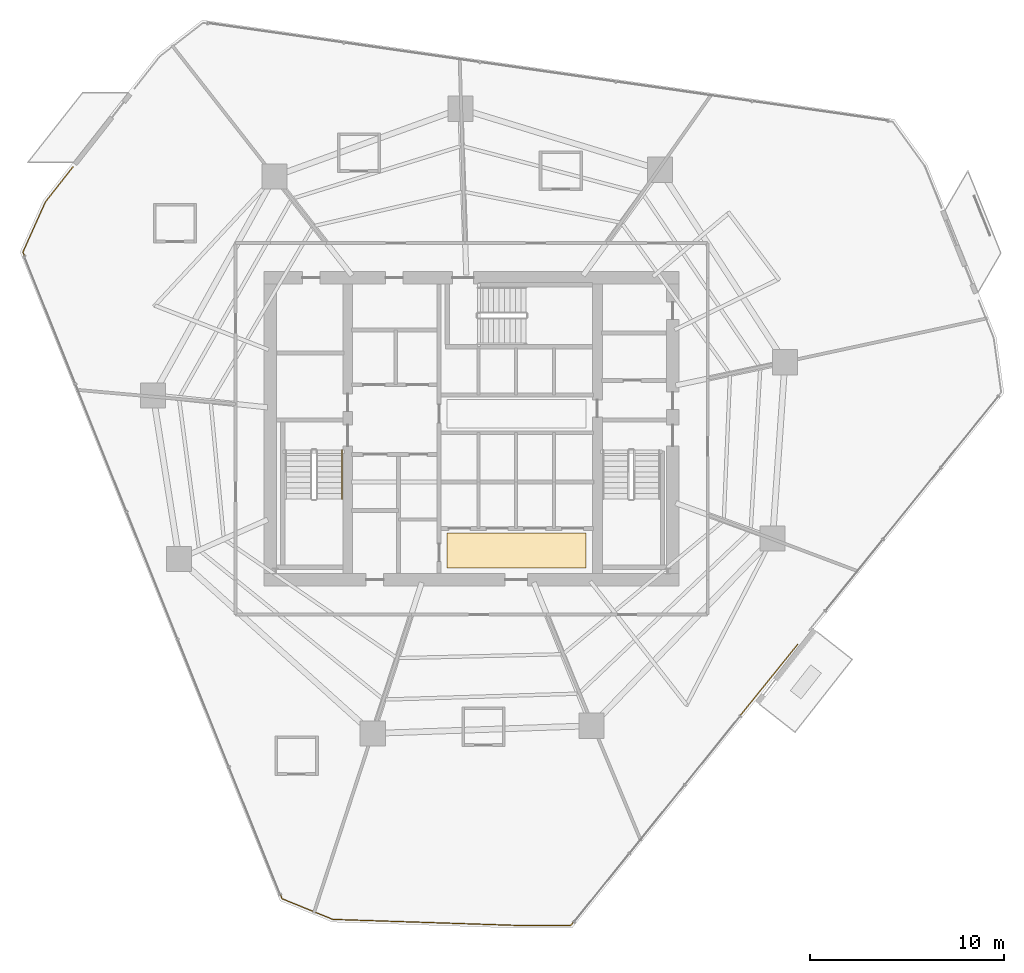
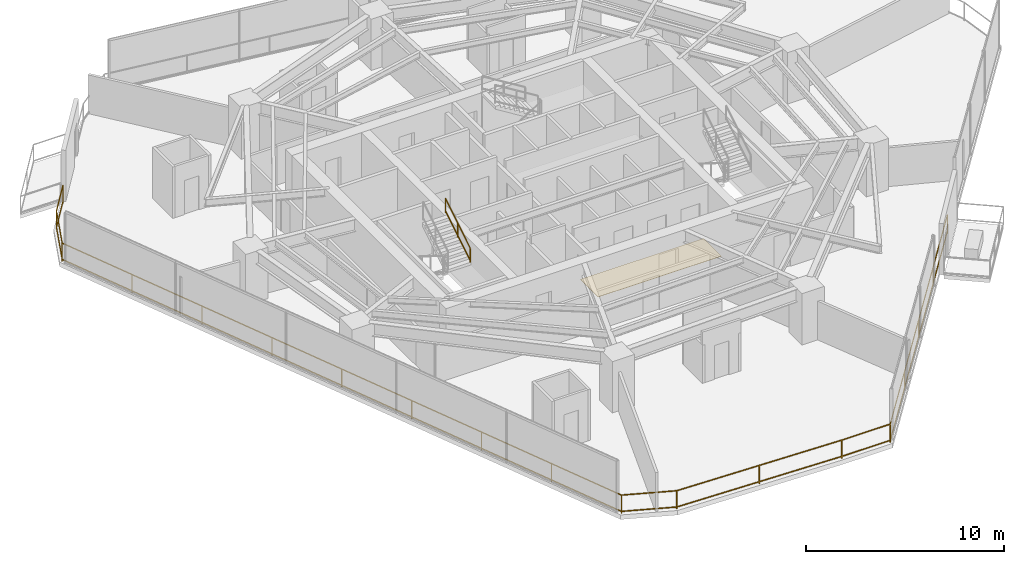
# One storey, part 30 of 32: 2 railings, 1 covering.
"""IFC4 building model written with IfcOpenShell, lengths in metres."""

import ifcopenshell
import ifcopenshell.guid

model = None  # the IFC model being written
_history = None  # IfcOwnerHistory: only IFC2X3 demands one
_inside = {}  # id of a spatial element -> (the spatial element, [elements in it])
_under = {}  # id of a project, library or spatial element -> (it, [spatial elements below it])
_declared = {}  # id of a project -> (the project, [libraries it declares])
_typed = {}  # id of a type object -> (the type object, [elements of that type])
_made_of = {}  # id of a material, layer set ... -> (it, [elements and type objects made of it])


def new_model(schema):
    """Start an empty IFC model of exactly this schema.

    Asked for "IFC4X3", IfcOpenShell would pick the latest addendum, in which some entities
    have other attributes; the version numbers below select the first issue.
    IFC2X3 requires an IfcOwnerHistory on every rooted entity: one is made here for all.
    """
    global model, _history
    if schema == "IFC4X3":
        model = ifcopenshell.file(schema_version=(4, 3, 0, 0))
    else:
        model = ifcopenshell.file(schema=schema)
    _inside.clear()
    _under.clear()
    _declared.clear()
    _typed.clear()
    _made_of.clear()
    _history = None
    if model.schema == "IFC2X3":
        org = make("IfcOrganization", Name="unknown")
        user = make(
            "IfcPersonAndOrganization",
            ThePerson=make("IfcPerson", FamilyName="unknown"),
            TheOrganization=org,
        )
        app = make(
            "IfcApplication",
            ApplicationDeveloper=org,
            Version="unknown",
            ApplicationFullName="unknown",
            ApplicationIdentifier="unknown",
        )
        _history = make(
            "IfcOwnerHistory",
            OwningUser=user,
            OwningApplication=app,
            ChangeAction="ADDED",
            CreationDate=0,
        )
    return model


def make(cls, **values):
    """One entity of the class cls with the attributes given. An attribute that is None is left unset."""
    return model.create_entity(
        cls, **{name: value for name, value in values.items() if value is not None}
    )


def rooted(cls, **values):
    """An entity with a GlobalId (a new one), such as an element, a storey or a relation."""
    return make(cls, GlobalId=ifcopenshell.guid.new(), OwnerHistory=_history, **values)


def si_unit(unit_type, name, prefix=None):
    """IfcSIUnit, for example si_unit("LENGTHUNIT", "METRE", prefix="MILLI")."""
    return make("IfcSIUnit", UnitType=unit_type, Prefix=prefix, Name=name)


def assignment(units):
    """IfcUnitAssignment: the units of a project."""
    return None if units is None else make("IfcUnitAssignment", Units=units)


def point(xyz):
    """IfcCartesianPoint."""
    return None if xyz is None else make("IfcCartesianPoint", Coordinates=xyz)


def direction(xyz):
    """IfcDirection."""
    return None if xyz is None else make("IfcDirection", DirectionRatios=xyz)


def frame(location, z_axis=None, x_axis=None):
    """IfcAxis2Placement3D, a coordinate frame: its origin and axes. An axis left out is left unset."""
    return make(
        "IfcAxis2Placement3D",
        Location=point(location),
        Axis=direction(z_axis),
        RefDirection=direction(x_axis),
    )


def frame_2d(location, x_axis=None):
    """IfcAxis2Placement2D, a coordinate frame in the plane: its origin and x axis."""
    return make(
        "IfcAxis2Placement2D", Location=point(location), RefDirection=direction(x_axis)
    )


def origin():
    """The frame at (0, 0, 0) with its axes left unset."""
    return frame((0.0, 0.0, 0.0))


def origin_2d():
    """The frame at (0, 0) in the plane with its x axis left unset."""
    return frame_2d((0.0, 0.0))


def place(relative_to, where):
    """IfcLocalPlacement: puts the frame where relative to a parent placement (None: the world)."""
    return make(
        "IfcLocalPlacement", PlacementRelTo=relative_to, RelativePlacement=where
    )


def context(
    kind, dimensions, precision=None, world=None, true_north=None, identifier=None
):
    """IfcGeometricRepresentationContext, for example the 3D "Model" context."""
    return make(
        "IfcGeometricRepresentationContext",
        ContextIdentifier=identifier,
        ContextType=kind,
        CoordinateSpaceDimension=dimensions,
        Precision=precision,
        WorldCoordinateSystem=world,
        TrueNorth=true_north,
    )


def subcontext(parent, identifier, kind, view, scale=None):
    """IfcGeometricRepresentationSubContext, for example "Body" below "Model"."""
    return make(
        "IfcGeometricRepresentationSubContext",
        ContextIdentifier=identifier,
        ContextType=kind,
        ParentContext=parent,
        TargetScale=scale,
        TargetView=view,
    )


def project(units=None, contexts=None):
    """IfcProject with its units and contexts."""
    return rooted(
        "IfcProject",
        Name="project",
        RepresentationContexts=contexts,
        UnitsInContext=assignment(units),
    )


def spatial(cls, under=None, at=None, **own):
    """A site, building, storey or space (cls), placed at a placement, below another one or the project."""
    s = rooted(cls, ObjectPlacement=at, **own)
    if under is not None:
        _under.setdefault(under.id(), (under, []))[1].append(s)
    return s


def profile(cls, at=None, kind="AREA", **sizes):
    """A parametric profile (cls). Its sizes go by their IFC names, for example OverallWidth=200.0."""
    return make(cls, ProfileType=kind, Position=at, **sizes)


def rectangle(**sizes):
    """IfcRectangleProfileDef."""
    return profile("IfcRectangleProfileDef", **sizes)


def extrude(swept, where, along, depth):
    """IfcExtrudedAreaSolid: the profile swept, set in the frame where, extruded along a direction by depth."""
    return make(
        "IfcExtrudedAreaSolid",
        SweptArea=swept,
        Position=where,
        ExtrudedDirection=direction(along),
        Depth=depth,
    )


def shape(context_of_items, identifier, shape_type, items):
    """IfcShapeRepresentation: the items that make up one representation, for example the "Body"."""
    return make(
        "IfcShapeRepresentation",
        ContextOfItems=context_of_items,
        RepresentationIdentifier=identifier,
        RepresentationType=shape_type,
        Items=items,
    )


def material(Name=None, Category=None):
    """IfcMaterial."""
    return make("IfcMaterial", Name=Name, Category=Category)


def layer(
    of_material, thickness, ventilated=None, Name=None, Category=None, Priority=None
):
    """IfcMaterialLayer: one layer of a wall or slab, of a material (None: an air gap)."""
    return make(
        "IfcMaterialLayer",
        Material=of_material,
        LayerThickness=thickness,
        IsVentilated=ventilated,
        Name=Name,
        Category=Category,
        Priority=Priority,
    )


def layer_set(layers, Name=None):
    """IfcMaterialLayerSet."""
    return make("IfcMaterialLayerSet", MaterialLayers=layers, LayerSetName=Name)


def made_of(thing, what):
    """Note that an element or type object is made of a material, layer set ...; save() writes the relation."""
    if what is not None:
        _made_of.setdefault(what.id(), (what, []))[1].append(thing)
    return thing


def type_object(cls, material=None, **own):
    """A type object (cls), such as IfcWallType, which elements share."""
    return made_of(rooted(cls, **own), material)


def element(
    cls,
    number,
    at=None,
    inside=None,
    cuts=None,
    type_object=None,
    material=None,
    context=None,
    identifier="Body",
    shape_type=None,
    held_by="IfcProductDefinitionShape",
    body=None,
    shapes=None,
    **own,
):
    """One element of the class cls, such as IfcWall. Its Tag is "e" and its number.

    at: its placement. inside: the storey or other place that contains it. cuts: it is an
    opening in that element (IfcRelVoidsElement). A single representation is given by context,
    identifier, shape_type and body (its items); several are given by shapes. held_by: the class
    of the entity that holds the representations. save() writes the other relations.
    """
    e = rooted(cls, Tag="e%d" % number, ObjectPlacement=at, **own)
    if body is not None:
        shapes = [shape(context, identifier, shape_type, body)]
    if shapes is not None:
        e.Representation = make(held_by, Representations=shapes)
    if inside is not None:
        _inside.setdefault(inside.id(), (inside, []))[1].append(e)
    if cuts is not None:
        rooted(
            "IfcRelVoidsElement", RelatingBuildingElement=cuts, RelatedOpeningElement=e
        )
    if type_object is not None:
        _typed.setdefault(type_object.id(), (type_object, []))[1].append(e)
    return made_of(e, material)


def aggregate(whole, parts):
    """IfcRelAggregates: a whole, such as a stair, and the parts it consists of."""
    return rooted("IfcRelAggregates", RelatingObject=whole, RelatedObjects=parts)


def save(model, path):
    """Write the relations noted so far, then the file.

    IfcRelAggregates (storeys below a building ...), IfcRelContainedInSpatialStructure (elements
    in a storey), IfcRelDefinesByType, IfcRelAssociatesMaterial and IfcRelDeclares: one each for
    every whole, place, type object, material and project.
    """
    for whole, parts in _under.values():
        aggregate(whole, parts)
    for where, things in _inside.values():
        rooted(
            "IfcRelContainedInSpatialStructure",
            RelatedElements=things,
            RelatingStructure=where,
        )
    for kind, things in _typed.values():
        rooted("IfcRelDefinesByType", RelatedObjects=things, RelatingType=kind)
    for what, things in _made_of.values():
        rooted("IfcRelAssociatesMaterial", RelatedObjects=things, RelatingMaterial=what)
    for by, libraries in _declared.values():
        rooted("IfcRelDeclares", RelatingContext=by, RelatedDefinitions=libraries)
    model.write(path)


model = new_model("IFC4")

# Units and contexts
model_context = context("Model", 3, precision=1e-05, world=origin(), true_north=direction((0.0, 1.0)))
body_context = subcontext(model_context, "Body", "Model", "MODEL_VIEW")
ifc_project = project(units=[si_unit("LENGTHUNIT", "METRE"), si_unit("AREAUNIT", "SQUARE_METRE"), si_unit("VOLUMEUNIT", "CUBIC_METRE"), si_unit("PLANEANGLEUNIT", "RADIAN"), si_unit("MASSUNIT", "GRAM", prefix="KILO")], contexts=[model_context])

# Site, building, storey
site_placement = place(None, origin())
site = spatial("IfcSite", under=ifc_project, at=site_placement, CompositionType="ELEMENT")
building_placement = place(site_placement, origin())
building = spatial("IfcBuilding", under=site, at=building_placement, Name="Qarnah Convention Tower", CompositionType="ELEMENT")
storey_placement = place(building_placement, frame((0.0, 0.0, 37.35009765625)))
storey = spatial("IfcBuildingStorey", under=building, at=storey_placement, Name="L08", CompositionType="ELEMENT", Elevation=37.35009765625)

# Covering
ifc_material_1 = material(Name="Porcelain stone floor tile", Category="masonry")
ifc_layer = layer(ifc_material_1, 0.02001953125)
ifc_layer_set = layer_set([ifc_layer], Name="Porcelain stone floor tile")
covering_type = type_object("IfcCoveringType", Name="COV-FLOOR-20", PredefinedType="FLOORING", material=ifc_layer_set)
covering_placement = place(storey_placement, frame((39.52001953125, 20.1201171875, 0.0), z_axis=(0.0, 0.0, 1.0), x_axis=(1.0, 0.0, 0.0)))
element("IfcCovering", 1, at=covering_placement, inside=storey, type_object=covering_type, Name="L08 lift lobby porcelain stone flooring", PredefinedType="FLOORING", context=body_context, shape_type="SweptSolid", body=[
    extrude(rectangle(XDim=7.199951171875, YDim=1.800048828125, at=origin_2d()), origin(), (0.0, 0.0, 1.0), 0.02001953125),
])

# Railings
ifc_material_2 = material(Name="Black anodised aluminium", Category="aluminium")
railing_type_1 = type_object("IfcRailingType", Name="RL-EXT-GUARD-1150", PredefinedType="GUARDRAIL", material=ifc_material_2)
railing_1_placement = place(storey_placement, frame((54.052001953125, 15.26708984375, 0.0)))
element("IfcRailing", 2, at=railing_1_placement, inside=storey, type_object=railing_type_1, Name="L08 slab-edge perimeter safety guard 03", PredefinedType="GUARDRAIL", context=body_context, shape_type="SweptSolid", body=[
    extrude(rectangle(XDim=0.048095703125, YDim=0.048095703125, at=origin_2d()), frame((0.0, 0.0, 1.1259765625), z_axis=(-0.628162076371, -0.778082518637, 0.0), x_axis=(0.778082518637, -0.628162076371, 0.0)), (0.0, 0.0, 1.0), 18.67041015625),
    extrude(rectangle(XDim=0.048095703125, YDim=0.048095703125, at=origin_2d()), frame((0.0, 0.0, 0.1201171875), z_axis=(-0.628162076371, -0.778082518637, 0.0), x_axis=(0.778082518637, -0.628162076371, 0.0)), (0.0, 0.0, 1.0), 18.67041015625),
    extrude(rectangle(XDim=0.048095703125, YDim=0.048095703125, at=origin_2d()), frame((-11.72802734375, -14.527099609375, 1.1259765625), z_axis=(-1.0, 0.0, 0.0), x_axis=(0.0, -1.0, 0.0)), (0.0, 0.0, 1.0), 2.828857421875),
    extrude(rectangle(XDim=0.048095703125, YDim=0.048095703125, at=origin_2d()), frame((-11.72802734375, -14.527099609375, 0.1201171875), z_axis=(-1.0, 0.0, 0.0), x_axis=(0.0, -1.0, 0.0)), (0.0, 0.0, 1.0), 2.828857421875),
    extrude(rectangle(XDim=0.048095703125, YDim=0.048095703125, at=origin_2d()), frame((-14.556884765625, -14.527099609375, 1.1259765625), z_axis=(-0.999467829164, 0.032619909042, 0.0), x_axis=(-0.032619909042, -0.999467829164, 0.0)), (0.0, 0.0, 1.0), 9.475341796875),
    extrude(rectangle(XDim=0.048095703125, YDim=0.048095703125, at=origin_2d()), frame((-14.556884765625, -14.527099609375, 0.1201171875), z_axis=(-0.999467829164, 0.032619909042, 0.0), x_axis=(-0.032619909042, -0.999467829164, 0.0)), (0.0, 0.0, 1.0), 9.475341796875),
    extrude(rectangle(XDim=0.048095703125, YDim=0.048095703125, at=origin_2d()), frame((-24.027099609375, -14.218017578125, 1.1259765625), z_axis=(-0.926220807455, 0.376981452909, 0.0), x_axis=(-0.376981452909, -0.926220807455, 0.0)), (0.0, 0.0, 1.0), 2.827392578125),
    extrude(rectangle(XDim=0.048095703125, YDim=0.048095703125, at=origin_2d()), frame((-24.027099609375, -14.218017578125, 0.1201171875), z_axis=(-0.926220807455, 0.376981452909, 0.0), x_axis=(-0.376981452909, -0.926220807455, 0.0)), (0.0, 0.0, 1.0), 2.827392578125),
    extrude(rectangle(XDim=0.048095703125, YDim=0.048095703125, at=origin_2d()), frame((-26.64599609375, -13.152099609375, 1.1259765625), z_axis=(-0.372014904806, 0.928226756026, 0.0), x_axis=(-0.928226756026, -0.372014904806, 0.0)), (0.0, 0.0, 1.0), 36.004150390625),
    extrude(rectangle(XDim=0.048095703125, YDim=0.048095703125, at=origin_2d()), frame((-26.64599609375, -13.152099609375, 0.1201171875), z_axis=(-0.372014904806, 0.928226756026, 0.0), x_axis=(-0.928226756026, -0.372014904806, 0.0)), (0.0, 0.0, 1.0), 36.004150390625),
    extrude(rectangle(XDim=0.048095703125, YDim=0.048095703125, at=origin_2d()), frame((-40.0400390625, 20.267822265625, 1.1259765625), z_axis=(0.409458796983, 0.91232861052, 0.0), x_axis=(-0.91232861052, 0.409458796983, 0.0)), (0.0, 0.0, 1.0), 2.835693359375),
    extrude(rectangle(XDim=0.048095703125, YDim=0.048095703125, at=origin_2d()), frame((-40.0400390625, 20.267822265625, 0.1201171875), z_axis=(0.409458796983, 0.91232861052, 0.0), x_axis=(-0.91232861052, 0.409458796983, 0.0)), (0.0, 0.0, 1.0), 2.835693359375),
    extrude(rectangle(XDim=0.048095703125, YDim=0.048095703125, at=origin_2d()), frame((-38.87890625, 22.85498046875, 1.1259765625), z_axis=(0.61770000869, 0.786413821893, 0.0), x_axis=(-0.786413821893, 0.61770000869, 0.0)), (0.0, 0.0, 1.0), 2.306640625),
    extrude(rectangle(XDim=0.048095703125, YDim=0.048095703125, at=origin_2d()), frame((-38.87890625, 22.85498046875, 0.1201171875), z_axis=(0.61770000869, 0.786413821893, 0.0), x_axis=(-0.786413821893, 0.61770000869, 0.0)), (0.0, 0.0, 1.0), 2.306640625),
    extrude(rectangle(XDim=0.0419921875, YDim=0.0419921875, at=origin_2d()), origin(), (0.0, 0.0, 1.0), 1.101806640625),
    extrude(rectangle(XDim=0.0419921875, YDim=0.0419921875, at=origin_2d()), frame((-2.93212890625, -3.6318359375, 0.0)), (0.0, 0.0, 1.0), 1.101806640625),
    extrude(rectangle(XDim=0.0419921875, YDim=0.0419921875, at=origin_2d()), frame((-5.864013671875, -7.263671875, 0.0)), (0.0, 0.0, 1.0), 1.101806640625),
    extrude(rectangle(XDim=0.0419921875, YDim=0.0419921875, at=origin_2d()), frame((-8.7958984375, -10.895263671875, 0.0)), (0.0, 0.0, 1.0), 1.101806640625),
    extrude(rectangle(XDim=0.0419921875, YDim=0.0419921875, at=origin_2d()), frame((-11.72802734375, -14.527099609375, 0.0)), (0.0, 0.0, 1.0), 1.101806640625),
    extrude(rectangle(XDim=0.0419921875, YDim=0.0419921875, at=origin_2d()), frame((-14.556884765625, -14.527099609375, 0.0)), (0.0, 0.0, 1.0), 1.101806640625),
    extrude(rectangle(XDim=0.0419921875, YDim=0.0419921875, at=origin_2d()), frame((-19.2919921875, -14.37255859375, 0.0)), (0.0, 0.0, 1.0), 1.101806640625),
    extrude(rectangle(XDim=0.0419921875, YDim=0.0419921875, at=origin_2d()), frame((-24.027099609375, -14.218017578125, 0.0)), (0.0, 0.0, 1.0), 1.101806640625),
    extrude(rectangle(XDim=0.0419921875, YDim=0.0419921875, at=origin_2d()), frame((-26.64599609375, -13.152099609375, 0.0)), (0.0, 0.0, 1.0), 1.101806640625),
    extrude(rectangle(XDim=0.0419921875, YDim=0.0419921875, at=origin_2d()), frame((-28.3203125, -8.974609375, 0.0)), (0.0, 0.0, 1.0), 1.101806640625),
    extrude(rectangle(XDim=0.0419921875, YDim=0.0419921875, at=origin_2d()), frame((-29.99462890625, -4.797119140625, 0.0)), (0.0, 0.0, 1.0), 1.101806640625),
    extrude(rectangle(XDim=0.0419921875, YDim=0.0419921875, at=origin_2d()), frame((-31.668701171875, -0.61962890625, 0.0)), (0.0, 0.0, 1.0), 1.101806640625),
    extrude(rectangle(XDim=0.0419921875, YDim=0.0419921875, at=origin_2d()), frame((-33.343017578125, 3.557861328125, 0.0)), (0.0, 0.0, 1.0), 1.101806640625),
    extrude(rectangle(XDim=0.0419921875, YDim=0.0419921875, at=origin_2d()), frame((-35.017333984375, 7.7353515625, 0.0)), (0.0, 0.0, 1.0), 1.101806640625),
    extrude(rectangle(XDim=0.0419921875, YDim=0.0419921875, at=origin_2d()), frame((-36.69140625, 11.912841796875, 0.0)), (0.0, 0.0, 1.0), 1.101806640625),
    extrude(rectangle(XDim=0.0419921875, YDim=0.0419921875, at=origin_2d()), frame((-38.36572265625, 16.09033203125, 0.0)), (0.0, 0.0, 1.0), 1.101806640625),
    extrude(rectangle(XDim=0.0419921875, YDim=0.0419921875, at=origin_2d()), frame((-40.0400390625, 20.267822265625, 0.0)), (0.0, 0.0, 1.0), 1.101806640625),
    extrude(rectangle(XDim=0.0419921875, YDim=0.0419921875, at=origin_2d()), frame((-38.87890625, 22.85498046875, 0.0)), (0.0, 0.0, 1.0), 1.101806640625),
    extrude(rectangle(XDim=0.0419921875, YDim=0.0419921875, at=origin_2d()), frame((-37.4541015625, 24.6689453125, 0.0)), (0.0, 0.0, 1.0), 1.101806640625),
])
ifc_material_3 = material(Name="Structural steel S355JR", Category="steel")
railing_type_2 = type_object("IfcRailingType", Name="RL-STAIR-HAND-900", PredefinedType="HANDRAIL", material=ifc_material_3)
railing_2_placement = place(storey_placement, frame((30.5, 22.780029296875, 1.8974609375)))
element("IfcRailing", 3, at=railing_2_placement, inside=storey, type_object=railing_type_2, Name="L08 ST-1 stair handrail 2", PredefinedType="HANDRAIL", context=body_context, shape_type="SweptSolid", body=[
    extrude(rectangle(XDim=0.048095703125, YDim=0.048095703125, at=origin_2d()), frame((0.0, 0.0, 0.8759765625), z_axis=(0.0, 0.851400495292, 0.524516154772), x_axis=(-1.0, 0.0, 0.0)), (0.0, 0.0, 1.0), 2.9599609375),
    extrude(rectangle(XDim=0.048095703125, YDim=0.048095703125, at=origin_2d()), frame((0.0, 0.0, 0.1201171875), z_axis=(0.0, 0.851400495292, 0.524516154772), x_axis=(-1.0, 0.0, 0.0)), (0.0, 0.0, 1.0), 2.9599609375),
    extrude(rectangle(XDim=0.0419921875, YDim=0.0419921875, at=origin_2d()), origin(), (0.0, 0.0, 1.0), 0.851806640625),
    extrude(rectangle(XDim=0.0419921875, YDim=0.0419921875, at=origin_2d()), frame((0.0, 1.260009765625, 0.7763671875)), (0.0, 0.0, 1.0), 0.851806640625),
    extrude(rectangle(XDim=0.0419921875, YDim=0.0419921875, at=origin_2d()), frame((0.0, 2.52001953125, 1.552490234375)), (0.0, 0.0, 1.0), 0.851806640625),
])

save(model, "model.ifc")
